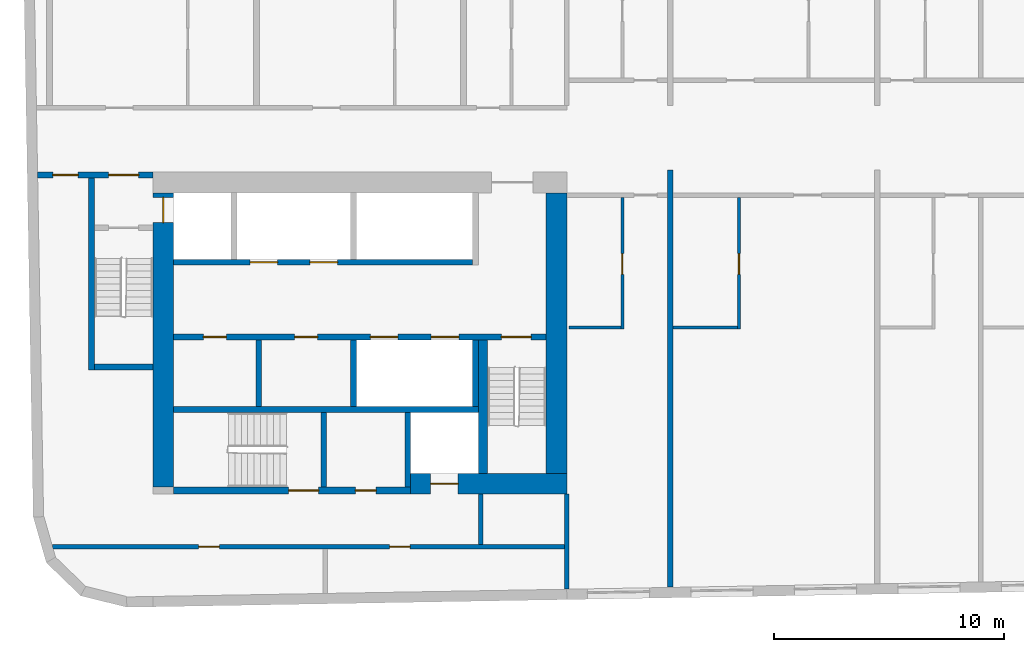
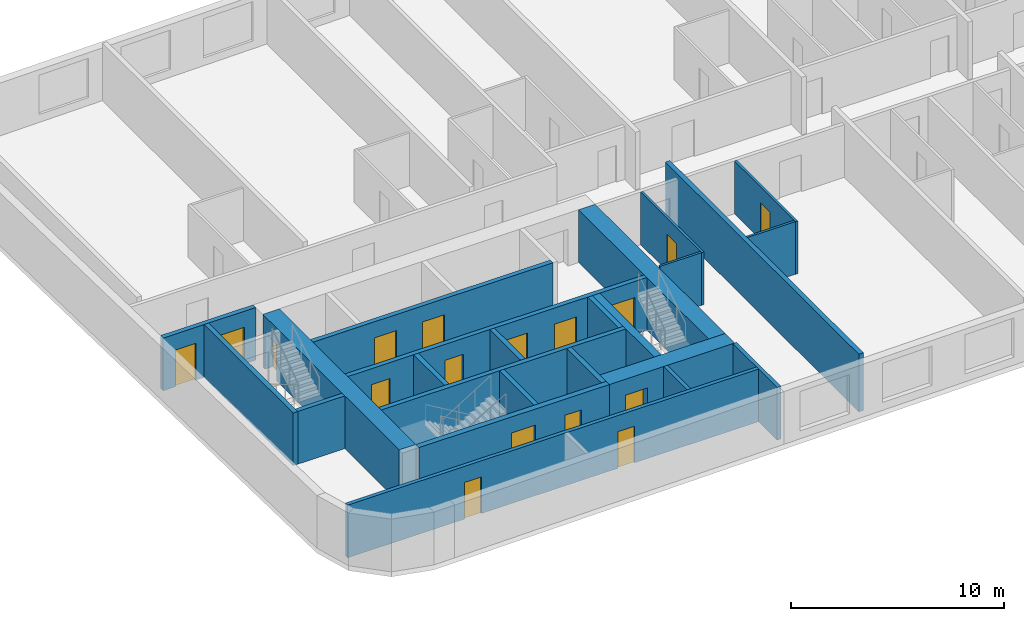
# One storey, part 2 of 12: 24 walls, 17 doors, 17 openings.
"""IFC4 building model written with IfcOpenShell, lengths in metres."""

from ifc_helpers import new_model, si_unit, direction, frame, frame_2d, origin, place, context, subcontext, project, spatial, rectangle, extrude, material, layer, layer_set, type_object, element, fill, save


model = new_model("IFC4")

# Units and contexts
model_context = context("Model", 3, precision=1e-05, world=origin(), true_north=direction((0.0, 1.0)))
body_context = subcontext(model_context, "Body", "Model", "MODEL_VIEW")
ifc_project = project(units=[si_unit("LENGTHUNIT", "METRE"), si_unit("AREAUNIT", "SQUARE_METRE"), si_unit("VOLUMEUNIT", "CUBIC_METRE"), si_unit("PLANEANGLEUNIT", "RADIAN"), si_unit("MASSUNIT", "GRAM", prefix="KILO")], contexts=[model_context])

# Site, building, storey
site_placement = place(None, origin())
site = spatial("IfcSite", under=ifc_project, at=site_placement, CompositionType="ELEMENT")
building_placement = place(site_placement, origin())
building = spatial("IfcBuilding", under=site, at=building_placement, Name="Kajstack Hotel Tower", CompositionType="ELEMENT")
storey_placement = place(building_placement, frame((0.0, 0.0, 234.199951171875)))
storey = spatial("IfcBuildingStorey", under=building, at=storey_placement, Name="L57", CompositionType="ELEMENT", Elevation=234.199951171875)

# Wall, opening, door
ifc_material_1 = material(Name="Concrete C60/75", Category="concrete")
ifc_layer_1 = layer(ifc_material_1, 0.89990234375)
ifc_layer_set_1 = layer_set([ifc_layer_1], Name="Core wall 900")
wall_type_1 = type_object("IfcWallType", Name="Core wall 900", PredefinedType="SHEAR", material=ifc_layer_set_1)
wall_1_placement = place(storey_placement, frame((-20.300048828125, -15.050048828125, 0.0), z_axis=(0.0, 0.0, 1.0), x_axis=(1.0, 0.0, 0.0)))
wall_1 = element("IfcWall", 1, at=wall_1_placement, inside=storey, type_object=wall_type_1, Name="Core wall W RS", PredefinedType="SHEAR", context=body_context, shape_type="SweptSolid", body=[
    extrude(rectangle(XDim=6.800048828125, YDim=0.89990234375, at=frame_2d((3.39990234375, 0.0))), origin(), (0.0, 0.0, 1.0), 3.02001953125),
])
opening_1_placement = place(wall_1_placement, frame((0.875, 0.0, 0.0)))
opening_1 = element("IfcOpeningElement", 2, at=opening_1_placement, cuts=wall_1, Name="Opening LD-SV1", PredefinedType="OPENING", context=body_context, shape_type="SweptSolid", body=[
    extrude(rectangle(XDim=1.199951171875, YDim=2.10009765625, at=frame_2d((0.60009765625, 1.050048828125))), frame((0.0, 0.4599609375, 0.0), z_axis=(0.0, -1.0, 0.0), x_axis=(1.0, 0.0, 0.0)), (0.0, 0.0, 1.0), 0.919921875),
])
ifc_material_2 = material(Name="Stainless steel", Category="steel")
door_type_1 = type_object("IfcDoorType", Name="Lift landing door 1200", OperationType="SLIDING_TO_LEFT", PredefinedType="DOOR", material=ifc_material_2)
door_1_placement = place(opening_1_placement, origin())
door_1 = element("IfcDoor", 3, at=door_1_placement, inside=storey, type_object=door_type_1, Name="Landing door SV1", OperationType="SLIDING_TO_LEFT", OverallHeight=2.10009765625, OverallWidth=1.199951171875, PredefinedType="DOOR", context=body_context, shape_type="SweptSolid", body=[
    extrude(rectangle(XDim=1.199951171875, YDim=2.10009765625, at=frame_2d((0.60009765625, 1.050048828125))), frame((0.0, 0.02490234375, 0.0), z_axis=(0.0, -1.0, 0.0), x_axis=(1.0, 0.0, 0.0)), (0.0, 0.0, 1.0), 0.050048828125),
])
fill(opening_1, door_1)

wall_2_placement = place(storey_placement, frame((-31.050048828125, -15.199951171875, 0.0), z_axis=(0.0, 0.0, 1.0), x_axis=(0.0, 1.0, 0.0)))
wall_2 = element("IfcWall", 4, at=wall_2_placement, inside=storey, type_object=wall_type_1, Name="Core wall W RW", PredefinedType="SHEAR", context=body_context, shape_type="SweptSolid", body=[
    extrude(rectangle(XDim=12.800048828125, YDim=0.89990234375, at=frame_2d((6.39990234375, 0.0))), origin(), (0.0, 0.0, 1.0), 3.02001953125),
])
opening_2_placement = place(wall_2_placement, frame((11.5, 0.0, 0.0)))
opening_2 = element("IfcOpeningElement", 5, at=opening_2_placement, cuts=wall_2, Name="Opening LD-FF1", PredefinedType="OPENING", context=body_context, shape_type="SweptSolid", body=[
    extrude(rectangle(XDim=1.10009765625, YDim=2.10009765625, at=frame_2d((0.550048828125, 1.050048828125))), frame((0.0, 0.4599609375, 0.0), z_axis=(0.0, -1.0, 0.0), x_axis=(1.0, 0.0, 0.0)), (0.0, 0.0, 1.0), 0.919921875),
])
door_type_2 = type_object("IfcDoorType", Name="Fire-fighting lift landing door 1100", OperationType="SLIDING_TO_LEFT", PredefinedType="DOOR", material=ifc_material_2)
door_2_placement = place(opening_2_placement, origin())
door_2 = element("IfcDoor", 6, at=door_2_placement, inside=storey, type_object=door_type_2, Name="Landing door FF1", OperationType="SLIDING_TO_RIGHT", OverallHeight=2.10009765625, OverallWidth=1.10009765625, PredefinedType="DOOR", context=body_context, shape_type="SweptSolid", body=[
    extrude(rectangle(XDim=1.10009765625, YDim=2.10009765625, at=frame_2d((0.550048828125, 1.050048828125))), frame((0.0, 0.02490234375, 0.0), z_axis=(0.0, -1.0, 0.0), x_axis=(1.0, 0.0, 0.0)), (0.0, 0.0, 1.0), 0.050048828125),
])
fill(opening_2, door_2)

# Walls
wall_3_placement = place(storey_placement, frame((-13.949951171875, -14.60009765625, 0.0), z_axis=(0.0, 0.0, 1.0), x_axis=(0.0, 1.0, 0.0)))
element("IfcWall", 7, at=wall_3_placement, inside=storey, type_object=wall_type_1, Name="Core wall W RE", PredefinedType="SHEAR", context=body_context, shape_type="SweptSolid", body=[
    extrude(rectangle(XDim=12.2001953125, YDim=0.89990234375, at=frame_2d((6.10009765625, 0.0))), origin(), (0.0, 0.0, 1.0), 3.02001953125),
])
ifc_material_3 = material(Name="Twin-frame gypsum board on steel studs, mineral wool", Category="steel")
ifc_layer_2 = layer(ifc_material_3, 0.199951171875)
ifc_layer_set_2 = layer_set([ifc_layer_2], Name="Demising wall 200")
wall_type_2 = type_object("IfcWallType", Name="Demising wall 200", PredefinedType="PARTITIONING", material=ifc_layer_set_2)
wall_4_placement = place(storey_placement, frame((-13.5, -19.64111328125, 0.0), z_axis=(0.0, 0.0, 1.0), x_axis=(0.0, 1.0, 0.0)))
element("IfcWall", 8, at=wall_4_placement, inside=storey, type_object=wall_type_2, Name="G-wall-L57-002", PredefinedType="PARTITIONING", context=body_context, shape_type="SweptSolid", body=[
    extrude(rectangle(XDim=4.14111328125, YDim=0.199951171875, at=frame_2d((2.070556640625, 0.0))), origin(), (0.0, 0.0, 1.0), 3.02001953125),
])

# Wall, opening, door
ifc_material_4 = material(Name="Gypsum board and tiled backer on steel studs", Category="steel")
ifc_layer_3 = layer(ifc_material_4, 0.125)
ifc_layer_set_3 = layer_set([ifc_layer_3], Name="En-suite wall 125")
wall_type_3 = type_object("IfcWallType", Name="En-suite wall 125", PredefinedType="PARTITIONING", material=ifc_layer_set_3)
wall_5_placement = place(storey_placement, frame((-11.087890625, -8.324951171875, 0.0), z_axis=(0.0, 0.0, 1.0), x_axis=(0.0, 1.0, 0.0)))
wall_5 = element("IfcWall", 9, at=wall_5_placement, inside=storey, type_object=wall_type_3, Name="G-wall-L57-027", PredefinedType="PARTITIONING", context=body_context, shape_type="SweptSolid", body=[
    extrude(rectangle(XDim=5.724853515625, YDim=0.125, at=frame_2d((2.8623046875, 0.0))), origin(), (0.0, 0.0, 1.0), 3.02001953125),
])
opening_3_placement = place(wall_5_placement, frame((2.375, 0.0, 0.0)))
opening_3 = element("IfcOpeningElement", 10, at=opening_3_placement, cuts=wall_5, Name="Opening 57020", PredefinedType="OPENING", context=body_context, shape_type="SweptSolid", body=[
    extrude(rectangle(XDim=0.89990234375, YDim=2.10009765625, at=frame_2d((0.449951171875, 1.050048828125))), frame((0.0, 0.072509765625, 0.0), z_axis=(0.0, -1.0, 0.0), x_axis=(1.0, 0.0, 0.0)), (0.0, 0.0, 1.0), 0.14501953125),
])
ifc_material_5 = material(Name="Painted timber door leaf", Category="wood")
door_type_3 = type_object("IfcDoorType", Name="Room door 900", OperationType="SINGLE_SWING_LEFT", PredefinedType="DOOR", material=ifc_material_5)
door_3_placement = place(opening_3_placement, origin())
door_3 = element("IfcDoor", 11, at=door_3_placement, inside=storey, type_object=door_type_3, Name="G-door-L57-20", OperationType="SINGLE_SWING_LEFT", OverallHeight=2.10009765625, OverallWidth=0.89990234375, PredefinedType="DOOR", context=body_context, shape_type="SweptSolid", body=[
    extrude(rectangle(XDim=0.89990234375, YDim=2.10009765625, at=frame_2d((0.449951171875, 1.050048828125))), frame((0.0, 0.02490234375, 0.0), z_axis=(0.0, -1.0, 0.0), x_axis=(1.0, 0.0, 0.0)), (0.0, 0.0, 1.0), 0.050048828125),
])
fill(opening_3, door_3)

# Wall
wall_6_placement = place(storey_placement, frame((-13.39990234375, -8.261962890625, 0.0), z_axis=(0.0, 0.0, 1.0), x_axis=(1.0, 0.0, 0.0)))
element("IfcWall", 12, at=wall_6_placement, inside=storey, type_object=wall_type_3, Name="G-wall-L57-028", PredefinedType="PARTITIONING", context=body_context, shape_type="SweptSolid", body=[
    extrude(rectangle(XDim=2.25, YDim=0.125, at=frame_2d((1.125, 0.0))), origin(), (0.0, 0.0, 1.0), 3.02001953125),
])

# Wall, opening, door
wall_7_placement = place(storey_placement, frame((-6.012939453125, -8.324951171875, 0.0), z_axis=(0.0, 0.0, 1.0), x_axis=(0.0, 1.0, 0.0)))
wall_7 = element("IfcWall", 13, at=wall_7_placement, inside=storey, type_object=wall_type_3, Name="G-wall-L57-029", PredefinedType="PARTITIONING", context=body_context, shape_type="SweptSolid", body=[
    extrude(rectangle(XDim=5.724853515625, YDim=0.125, at=frame_2d((2.8623046875, 0.0))), origin(), (0.0, 0.0, 1.0), 3.02001953125),
])
opening_4_placement = place(wall_7_placement, frame((2.375, 0.0, 0.0)))
opening_4 = element("IfcOpeningElement", 14, at=opening_4_placement, cuts=wall_7, Name="Opening 57022", PredefinedType="OPENING", context=body_context, shape_type="SweptSolid", body=[
    extrude(rectangle(XDim=0.89990234375, YDim=2.10009765625, at=frame_2d((0.449951171875, 1.050048828125))), frame((0.0, 0.072509765625, 0.0), z_axis=(0.0, -1.0, 0.0), x_axis=(1.0, 0.0, 0.0)), (0.0, 0.0, 1.0), 0.14501953125),
])
door_4_placement = place(opening_4_placement, origin())
door_4 = element("IfcDoor", 15, at=door_4_placement, inside=storey, type_object=door_type_3, Name="G-door-L57-22", OperationType="SINGLE_SWING_RIGHT", OverallHeight=2.10009765625, OverallWidth=0.89990234375, PredefinedType="DOOR", context=body_context, shape_type="SweptSolid", body=[
    extrude(rectangle(XDim=0.89990234375, YDim=2.10009765625, at=frame_2d((0.449951171875, 1.050048828125))), frame((0.0, 0.02490234375, 0.0), z_axis=(0.0, -1.0, 0.0), x_axis=(1.0, 0.0, 0.0)), (0.0, 0.0, 1.0), 0.050048828125),
])
fill(opening_4, door_4)

# Walls
wall_8_placement = place(storey_placement, frame((-8.875, -8.261962890625, 0.0), z_axis=(0.0, 0.0, 1.0), x_axis=(1.0, 0.0, 0.0)))
element("IfcWall", 16, at=wall_8_placement, inside=storey, type_object=wall_type_3, Name="G-wall-L57-030", PredefinedType="PARTITIONING", context=body_context, shape_type="SweptSolid", body=[
    extrude(rectangle(XDim=2.800048828125, YDim=0.125, at=frame_2d((1.39990234375, 0.0))), origin(), (0.0, 0.0, 1.0), 3.02001953125),
])
ifc_material_6 = material(Name="Concrete C50/60", Category="concrete")
ifc_layer_4 = layer(ifc_material_6, 0.300048828125)
ifc_layer_set_4 = layer_set([ifc_layer_4], Name="Hoistway divider wall 300")
wall_type_4 = type_object("IfcWallType", Name="Hoistway divider wall 300", PredefinedType="SHEAR", material=ifc_layer_set_4)
wall_9_placement = place(storey_placement, frame((-22.77490234375, -11.699951171875, 0.0), z_axis=(0.0, 0.0, 1.0), x_axis=(0.0, 1.0, 0.0)))
element("IfcWall", 17, at=wall_9_placement, inside=storey, type_object=wall_type_4, Name="Core wall W BP2", PredefinedType="SHEAR", context=body_context, shape_type="SweptSolid", body=[
    extrude(rectangle(XDim=2.89990234375, YDim=0.25, at=frame_2d((1.449951171875, 0.0))), origin(), (0.0, 0.0, 1.0), 3.02001953125),
])
ifc_material_7 = material(Name="Concrete C45/55", Category="concrete")
ifc_layer_5 = layer(ifc_material_7, 0.25)
ifc_layer_set_5 = layer_set([ifc_layer_5], Name="RC cross wall 250 C45/55")
wall_type_5 = type_object("IfcWallType", Name="RC cross wall 250 C45/55", PredefinedType="SHEAR", material=ifc_layer_set_5)
wall_10_placement = place(storey_placement, frame((-9.0, -19.55029296875, 0.0), z_axis=(0.0, 0.0, 1.0), x_axis=(0.0, 1.0, 0.0)))
element("IfcWall", 18, at=wall_10_placement, inside=storey, type_object=wall_type_5, Name="S-wall-L57-04", PredefinedType="SHEAR", context=body_context, shape_type="SweptSolid", body=[
    extrude(rectangle(XDim=18.150390625, YDim=0.25, at=frame_2d((9.0751953125, 0.0))), origin(), (0.0, 0.0, 1.0), 3.300048828125),
])
ifc_material_8 = material(Name="Concrete block masonry", Category="masonry")
ifc_layer_6 = layer(ifc_material_8, 0.25)
ifc_layer_set_6 = layer_set([ifc_layer_6], Name="Riser partition 250")
wall_type_6 = type_object("IfcWallType", Name="Riser partition 250", PredefinedType="PARTITIONING", material=ifc_layer_set_6)
wall_11_placement = place(storey_placement, frame((-26.89990234375, -11.699951171875, 0.0), z_axis=(0.0, 0.0, 1.0), x_axis=(0.0, 1.0, 0.0)))
element("IfcWall", 19, at=wall_11_placement, inside=storey, type_object=wall_type_6, Name="Partition W BF0", PredefinedType="PARTITIONING", context=body_context, shape_type="SweptSolid", body=[
    extrude(rectangle(XDim=2.89990234375, YDim=0.25, at=frame_2d((1.449951171875, 0.0))), origin(), (0.0, 0.0, 1.0), 3.02001953125),
])

# Wall, openings, doors
ifc_material_9 = material(Name="Gypsum board on steel studs, mineral wool", Category="steel")
ifc_layer_7 = layer(ifc_material_9, 0.199951171875)
ifc_layer_set_7 = layer_set([ifc_layer_7], Name="Service partition 200")
wall_type_7 = type_object("IfcWallType", Name="Service partition 200", PredefinedType="PARTITIONING", material=ifc_layer_set_7)
wall_12_placement = place(storey_placement, frame((-36.515380859375, -1.625, 0.0), z_axis=(0.0, 0.0, 1.0), x_axis=(1.0, 0.0, 0.0)))
wall_12 = element("IfcWall", 20, at=wall_12_placement, inside=storey, type_object=wall_type_7, Name="Partition W SN", PredefinedType="PARTITIONING", context=body_context, shape_type="SweptSolid", body=[
    extrude(rectangle(XDim=5.015380859375, YDim=0.25, at=frame_2d((2.5078125, 0.0))), origin(), (0.0, 0.0, 1.0), 3.02001953125),
])
opening_5_placement = place(wall_12_placement, frame((3.09033203125, 0.0, 0.0)))
opening_5 = element("IfcOpeningElement", 21, at=opening_5_placement, cuts=wall_12, Name="Opening 57W08", PredefinedType="OPENING", context=body_context, shape_type="SweptSolid", body=[
    extrude(rectangle(XDim=1.300048828125, YDim=2.10009765625, at=frame_2d((0.64990234375, 1.050048828125))), frame((0.0, 0.135009765625, 0.0), z_axis=(0.0, -1.0, 0.0), x_axis=(1.0, 0.0, 0.0)), (0.0, 0.0, 1.0), 0.27001953125),
])
opening_6_placement = place(wall_12_placement, frame((0.665283203125, 0.0, 0.0)))
opening_6 = element("IfcOpeningElement", 22, at=opening_6_placement, cuts=wall_12, Name="Opening 57W10", PredefinedType="OPENING", context=body_context, shape_type="SweptSolid", body=[
    extrude(rectangle(XDim=1.10009765625, YDim=2.10009765625, at=frame_2d((0.550048828125, 1.050048828125))), frame((0.0, 0.135009765625, 0.0), z_axis=(0.0, -1.0, 0.0), x_axis=(1.0, 0.0, 0.0)), (0.0, 0.0, 1.0), 0.27001953125),
])
ifc_material_10 = material(Name="Steel leaf, fire-rated", Category="steel")
door_type_4 = type_object("IfcDoorType", Name="Fire lobby door 1300", OperationType="SINGLE_SWING_LEFT", PredefinedType="DOOR", material=ifc_material_10)
door_5_placement = place(opening_5_placement, origin())
door_5 = element("IfcDoor", 23, at=door_5_placement, inside=storey, type_object=door_type_4, Name="Door 57W08", OperationType="SINGLE_SWING_RIGHT", OverallHeight=2.10009765625, OverallWidth=1.300048828125, PredefinedType="DOOR", context=body_context, shape_type="SweptSolid", body=[
    extrude(rectangle(XDim=1.300048828125, YDim=2.10009765625, at=frame_2d((0.64990234375, 1.050048828125))), frame((0.0, 0.02490234375, 0.0), z_axis=(0.0, -1.0, 0.0), x_axis=(1.0, 0.0, 0.0)), (0.0, 0.0, 1.0), 0.050048828125),
])
fill(opening_5, door_5)
ifc_material_11 = material(Name="Timber leaf, fire-rated", Category="wood")
door_type_5 = type_object("IfcDoorType", Name="Service corridor door 1100", OperationType="SINGLE_SWING_LEFT", PredefinedType="DOOR", material=ifc_material_11)
door_6_placement = place(opening_6_placement, origin())
door_6 = element("IfcDoor", 24, at=door_6_placement, inside=storey, type_object=door_type_5, Name="Door 57W10", OperationType="SINGLE_SWING_RIGHT", OverallHeight=2.10009765625, OverallWidth=1.10009765625, PredefinedType="DOOR", context=body_context, shape_type="SweptSolid", body=[
    extrude(rectangle(XDim=1.10009765625, YDim=2.10009765625, at=frame_2d((0.550048828125, 1.050048828125))), frame((0.0, 0.02490234375, 0.0), z_axis=(0.0, -1.0, 0.0), x_axis=(1.0, 0.0, 0.0)), (0.0, 0.0, 1.0), 0.050048828125),
])
fill(opening_6, door_6)

# Wall
wall_13_placement = place(storey_placement, frame((-17.25, -17.699951171875, 0.0), z_axis=(0.0, 0.0, 1.0), x_axis=(0.0, 1.0, 0.0)))
element("IfcWall", 25, at=wall_13_placement, inside=storey, type_object=wall_type_7, Name="Partition W SCE", PredefinedType="PARTITIONING", context=body_context, shape_type="SweptSolid", body=[
    extrude(rectangle(XDim=2.199951171875, YDim=0.199951171875, at=frame_2d((1.10009765625, 0.0))), origin(), (0.0, 0.0, 1.0), 3.02001953125),
])

# Wall, openings, doors
wall_14_placement = place(storey_placement, frame((-35.86376953125, -17.800048828125, 0.0), z_axis=(0.0, 0.0, 1.0), x_axis=(1.0, 0.0, 0.0)))
wall_14 = element("IfcWall", 26, at=wall_14_placement, inside=storey, type_object=wall_type_7, Name="Partition W SLN", PredefinedType="PARTITIONING", context=body_context, shape_type="SweptSolid", body=[
    extrude(rectangle(XDim=22.263671875, YDim=0.199951171875, at=frame_2d((11.1318359375, 0.0))), origin(), (0.0, 0.0, 1.0), 3.02001953125),
])
opening_7_placement = place(wall_14_placement, frame((6.351318359375, 0.0, 0.0)))
opening_7 = element("IfcOpeningElement", 27, at=opening_7_placement, cuts=wall_14, Name="Opening 57W16", PredefinedType="OPENING", context=body_context, shape_type="SweptSolid", body=[
    extrude(rectangle(XDim=0.89990234375, YDim=2.10009765625, at=frame_2d((0.449951171875, 1.050048828125))), frame((0.0, 0.10986328125, 0.0), z_axis=(0.0, -1.0, 0.0), x_axis=(1.0, 0.0, 0.0)), (0.0, 0.0, 1.0), 0.219970703125),
])
opening_8_placement = place(wall_14_placement, frame((14.651123046875, 0.0, 0.0)))
opening_8 = element("IfcOpeningElement", 28, at=opening_8_placement, cuts=wall_14, Name="Opening 57W17", PredefinedType="OPENING", context=body_context, shape_type="SweptSolid", body=[
    extrude(rectangle(XDim=0.89990234375, YDim=2.10009765625, at=frame_2d((0.449951171875, 1.050048828125))), frame((0.0, 0.10986328125, 0.0), z_axis=(0.0, -1.0, 0.0), x_axis=(1.0, 0.0, 0.0)), (0.0, 0.0, 1.0), 0.219970703125),
])
door_type_6 = type_object("IfcDoorType", Name="Service door 900", OperationType="SINGLE_SWING_LEFT", PredefinedType="DOOR", material=ifc_material_11)
door_7_placement = place(opening_7_placement, origin())
door_7 = element("IfcDoor", 29, at=door_7_placement, inside=storey, type_object=door_type_6, Name="Door 57W16", OperationType="SINGLE_SWING_RIGHT", OverallHeight=2.10009765625, OverallWidth=0.89990234375, PredefinedType="DOOR", context=body_context, shape_type="SweptSolid", body=[
    extrude(rectangle(XDim=0.89990234375, YDim=2.10009765625, at=frame_2d((0.449951171875, 1.050048828125))), frame((0.0, 0.02490234375, 0.0), z_axis=(0.0, -1.0, 0.0), x_axis=(1.0, 0.0, 0.0)), (0.0, 0.0, 1.0), 0.050048828125),
])
fill(opening_7, door_7)
door_8_placement = place(opening_8_placement, origin())
door_8 = element("IfcDoor", 30, at=door_8_placement, inside=storey, type_object=door_type_6, Name="Door 57W17", OperationType="SINGLE_SWING_RIGHT", OverallHeight=2.10009765625, OverallWidth=0.89990234375, PredefinedType="DOOR", context=body_context, shape_type="SweptSolid", body=[
    extrude(rectangle(XDim=0.89990234375, YDim=2.10009765625, at=frame_2d((0.449951171875, 1.050048828125))), frame((0.0, 0.02490234375, 0.0), z_axis=(0.0, -1.0, 0.0), x_axis=(1.0, 0.0, 0.0)), (0.0, 0.0, 1.0), 0.050048828125),
])
fill(opening_8, door_8)

ifc_layer_8 = layer(ifc_material_6, 0.25)
ifc_layer_set_8 = layer_set([ifc_layer_8], Name="Shaft wall 250")
wall_type_8 = type_object("IfcWallType", Name="Shaft wall 250", PredefinedType="SHEAR", material=ifc_layer_set_8)
wall_15_placement = place(storey_placement, frame((-30.60009765625, -15.35009765625, 0.0), z_axis=(0.0, 0.0, 1.0), x_axis=(1.0, 0.0, 0.0)))
wall_15 = element("IfcWall", 31, at=wall_15_placement, inside=storey, type_object=wall_type_8, Name="Core wall W RSS", PredefinedType="SHEAR", context=body_context, shape_type="SweptSolid", body=[
    extrude(rectangle(XDim=10.300048828125, YDim=0.300048828125, at=frame_2d((5.14990234375, 0.0))), origin(), (0.0, 0.0, 1.0), 3.02001953125),
])
opening_9_placement = place(wall_15_placement, frame((5.0, 0.0, 0.0)))
opening_9 = element("IfcOpeningElement", 32, at=opening_9_placement, cuts=wall_15, Name="Opening 57W12", PredefinedType="OPENING", context=body_context, shape_type="SweptSolid", body=[
    extrude(rectangle(XDim=1.300048828125, YDim=2.10009765625, at=frame_2d((0.64990234375, 1.050048828125))), frame((0.0, 0.159912109375, 0.0), z_axis=(0.0, -1.0, 0.0), x_axis=(1.0, 0.0, 0.0)), (0.0, 0.0, 1.0), 0.320068359375),
])
opening_10_placement = place(wall_15_placement, frame((7.89990234375, 0.0, 0.0)))
opening_10 = element("IfcOpeningElement", 33, at=opening_10_placement, cuts=wall_15, Name="Opening 57W13", PredefinedType="OPENING", context=body_context, shape_type="SweptSolid", body=[
    extrude(rectangle(XDim=0.89990234375, YDim=2.10009765625, at=frame_2d((0.449951171875, 1.050048828125))), frame((0.0, 0.159912109375, 0.0), z_axis=(0.0, -1.0, 0.0), x_axis=(1.0, 0.0, 0.0)), (0.0, 0.0, 1.0), 0.320068359375),
])
door_9_placement = place(opening_10_placement, origin())
door_9 = element("IfcDoor", 34, at=door_9_placement, inside=storey, type_object=door_type_6, Name="Door 57W13", OperationType="SINGLE_SWING_LEFT", OverallHeight=2.10009765625, OverallWidth=0.89990234375, PredefinedType="DOOR", context=body_context, shape_type="SweptSolid", body=[
    extrude(rectangle(XDim=0.89990234375, YDim=2.10009765625, at=frame_2d((0.449951171875, 1.050048828125))), frame((0.0, 0.02490234375, 0.0), z_axis=(0.0, -1.0, 0.0), x_axis=(1.0, 0.0, 0.0)), (0.0, 0.0, 1.0), 0.050048828125),
])
fill(opening_10, door_9)
door_type_7 = type_object("IfcDoorType", Name="Stair door 1300", OperationType="SINGLE_SWING_LEFT", PredefinedType="DOOR", material=ifc_material_10)
door_10_placement = place(opening_9_placement, origin())
door_10 = element("IfcDoor", 35, at=door_10_placement, inside=storey, type_object=door_type_7, Name="Door 57W12", OperationType="SINGLE_SWING_RIGHT", OverallHeight=2.10009765625, OverallWidth=1.300048828125, PredefinedType="DOOR", context=body_context, shape_type="SweptSolid", body=[
    extrude(rectangle(XDim=1.300048828125, YDim=2.10009765625, at=frame_2d((0.64990234375, 1.050048828125))), frame((0.0, 0.02490234375, 0.0), z_axis=(0.0, -1.0, 0.0), x_axis=(1.0, 0.0, 0.0)), (0.0, 0.0, 1.0), 0.050048828125),
])
fill(opening_9, door_10)

wall_16_placement = place(storey_placement, frame((-30.60009765625, -5.425048828125, 0.0), z_axis=(0.0, 0.0, 1.0), x_axis=(1.0, 0.0, 0.0)))
wall_16 = element("IfcWall", 36, at=wall_16_placement, inside=storey, type_object=wall_type_8, Name="Core wall W FA", PredefinedType="SHEAR", context=body_context, shape_type="SweptSolid", body=[
    extrude(rectangle(XDim=13.0, YDim=0.25, at=frame_2d((6.5, 0.0))), origin(), (0.0, 0.0, 1.0), 3.02001953125),
])
opening_11_placement = place(wall_16_placement, frame((3.324951171875, 0.0, 0.0)))
opening_11 = element("IfcOpeningElement", 37, at=opening_11_placement, cuts=wall_16, Name="Opening LD-MR3", PredefinedType="OPENING", context=body_context, shape_type="SweptSolid", body=[
    extrude(rectangle(XDim=1.199951171875, YDim=2.10009765625, at=frame_2d((0.60009765625, 1.050048828125))), frame((0.0, 0.135009765625, 0.0), z_axis=(0.0, -1.0, 0.0), x_axis=(1.0, 0.0, 0.0)), (0.0, 0.0, 1.0), 0.27001953125),
])
opening_12_placement = place(wall_16_placement, frame((5.925048828125, 0.0, 0.0)))
opening_12 = element("IfcOpeningElement", 38, at=opening_12_placement, cuts=wall_16, Name="Opening LD-MR4", PredefinedType="OPENING", context=body_context, shape_type="SweptSolid", body=[
    extrude(rectangle(XDim=1.199951171875, YDim=2.10009765625, at=frame_2d((0.60009765625, 1.050048828125))), frame((0.0, 0.135009765625, 0.0), z_axis=(0.0, -1.0, 0.0), x_axis=(1.0, 0.0, 0.0)), (0.0, 0.0, 1.0), 0.27001953125),
])
door_11_placement = place(opening_11_placement, origin())
door_11 = element("IfcDoor", 39, at=door_11_placement, inside=storey, type_object=door_type_1, Name="Landing door MR3", OperationType="SLIDING_TO_RIGHT", OverallHeight=2.10009765625, OverallWidth=1.199951171875, PredefinedType="DOOR", context=body_context, shape_type="SweptSolid", body=[
    extrude(rectangle(XDim=1.199951171875, YDim=2.10009765625, at=frame_2d((0.60009765625, 1.050048828125))), frame((0.0, 0.02490234375, 0.0), z_axis=(0.0, -1.0, 0.0), x_axis=(1.0, 0.0, 0.0)), (0.0, 0.0, 1.0), 0.050048828125),
])
fill(opening_11, door_11)
door_12_placement = place(opening_12_placement, origin())
door_12 = element("IfcDoor", 40, at=door_12_placement, inside=storey, type_object=door_type_1, Name="Landing door MR4", OperationType="SLIDING_TO_RIGHT", OverallHeight=2.10009765625, OverallWidth=1.199951171875, PredefinedType="DOOR", context=body_context, shape_type="SweptSolid", body=[
    extrude(rectangle(XDim=1.199951171875, YDim=2.10009765625, at=frame_2d((0.60009765625, 1.050048828125))), frame((0.0, 0.02490234375, 0.0), z_axis=(0.0, -1.0, 0.0), x_axis=(1.0, 0.0, 0.0)), (0.0, 0.0, 1.0), 0.050048828125),
])
fill(opening_12, door_12)

wall_17_placement = place(storey_placement, frame((-30.60009765625, -8.675048828125, 0.0), z_axis=(0.0, 0.0, 1.0), x_axis=(1.0, 0.0, 0.0)))
wall_17 = element("IfcWall", 41, at=wall_17_placement, inside=storey, type_object=wall_type_8, Name="Core wall W FB", PredefinedType="SHEAR", context=body_context, shape_type="SweptSolid", body=[
    extrude(rectangle(XDim=16.2001953125, YDim=0.25, at=frame_2d((8.10009765625, 0.0))), origin(), (0.0, 0.0, 1.0), 3.02001953125),
])
opening_13_placement = place(wall_17_placement, frame((8.550048828125, 0.0, 0.0)))
opening_13 = element("IfcOpeningElement", 42, at=opening_13_placement, cuts=wall_17, Name="Opening LD-MR1", PredefinedType="OPENING", context=body_context, shape_type="SweptSolid", body=[
    extrude(rectangle(XDim=1.199951171875, YDim=2.10009765625, at=frame_2d((0.60009765625, 1.050048828125))), frame((0.0, 0.135009765625, 0.0), z_axis=(0.0, -1.0, 0.0), x_axis=(1.0, 0.0, 0.0)), (0.0, 0.0, 1.0), 0.27001953125),
])
opening_14_placement = place(wall_17_placement, frame((11.199951171875, 0.0, 0.0)))
opening_14 = element("IfcOpeningElement", 43, at=opening_14_placement, cuts=wall_17, Name="Opening LD-MR2", PredefinedType="OPENING", context=body_context, shape_type="SweptSolid", body=[
    extrude(rectangle(XDim=1.199951171875, YDim=2.10009765625, at=frame_2d((0.60009765625, 1.050048828125))), frame((0.0, 0.135009765625, 0.0), z_axis=(0.0, -1.0, 0.0), x_axis=(1.0, 0.0, 0.0)), (0.0, 0.0, 1.0), 0.27001953125),
])
opening_15_placement = place(wall_17_placement, frame((14.25, 0.0, 0.0)))
opening_15 = element("IfcOpeningElement", 44, at=opening_15_placement, cuts=wall_17, Name="Opening 57W11", PredefinedType="OPENING", context=body_context, shape_type="SweptSolid", body=[
    extrude(rectangle(XDim=1.300048828125, YDim=2.10009765625, at=frame_2d((0.64990234375, 1.050048828125))), frame((0.0, 0.135009765625, 0.0), z_axis=(0.0, -1.0, 0.0), x_axis=(1.0, 0.0, 0.0)), (0.0, 0.0, 1.0), 0.27001953125),
])
opening_16_placement = place(wall_17_placement, frame((1.28759765625, 0.0, 0.0)))
opening_16 = element("IfcOpeningElement", 45, at=opening_16_placement, cuts=wall_17, Name="Opening 57W14", PredefinedType="OPENING", context=body_context, shape_type="SweptSolid", body=[
    extrude(rectangle(XDim=1.0, YDim=2.10009765625, at=frame_2d((0.5, 1.050048828125))), frame((0.0, 0.135009765625, 0.0), z_axis=(0.0, -1.0, 0.0), x_axis=(1.0, 0.0, 0.0)), (0.0, 0.0, 1.0), 0.27001953125),
])
opening_17_placement = place(wall_17_placement, frame((5.262451171875, 0.0, 0.0)))
opening_17 = element("IfcOpeningElement", 46, at=opening_17_placement, cuts=wall_17, Name="Opening 57W15", PredefinedType="OPENING", context=body_context, shape_type="SweptSolid", body=[
    extrude(rectangle(XDim=1.0, YDim=2.10009765625, at=frame_2d((0.5, 1.050048828125))), frame((0.0, 0.135009765625, 0.0), z_axis=(0.0, -1.0, 0.0), x_axis=(1.0, 0.0, 0.0)), (0.0, 0.0, 1.0), 0.27001953125),
])
door_13_placement = place(opening_13_placement, origin())
door_13 = element("IfcDoor", 47, at=door_13_placement, inside=storey, type_object=door_type_1, Name="Landing door MR1", OperationType="SLIDING_TO_LEFT", OverallHeight=2.10009765625, OverallWidth=1.199951171875, PredefinedType="DOOR", context=body_context, shape_type="SweptSolid", body=[
    extrude(rectangle(XDim=1.199951171875, YDim=2.10009765625, at=frame_2d((0.60009765625, 1.050048828125))), frame((0.0, 0.02490234375, 0.0), z_axis=(0.0, -1.0, 0.0), x_axis=(1.0, 0.0, 0.0)), (0.0, 0.0, 1.0), 0.050048828125),
])
fill(opening_13, door_13)
door_14_placement = place(opening_14_placement, origin())
door_14 = element("IfcDoor", 48, at=door_14_placement, inside=storey, type_object=door_type_1, Name="Landing door MR2", OperationType="SLIDING_TO_RIGHT", OverallHeight=2.10009765625, OverallWidth=1.199951171875, PredefinedType="DOOR", context=body_context, shape_type="SweptSolid", body=[
    extrude(rectangle(XDim=1.199951171875, YDim=2.10009765625, at=frame_2d((0.60009765625, 1.050048828125))), frame((0.0, 0.02490234375, 0.0), z_axis=(0.0, -1.0, 0.0), x_axis=(1.0, 0.0, 0.0)), (0.0, 0.0, 1.0), 0.050048828125),
])
fill(opening_14, door_14)
door_type_8 = type_object("IfcDoorType", Name="Service room door 1000", OperationType="SINGLE_SWING_LEFT", PredefinedType="DOOR", material=ifc_material_11)
door_15_placement = place(opening_16_placement, origin())
door_15 = element("IfcDoor", 49, at=door_15_placement, inside=storey, type_object=door_type_8, Name="Door 57W14", OperationType="SINGLE_SWING_RIGHT", OverallHeight=2.10009765625, OverallWidth=1.0, PredefinedType="DOOR", context=body_context, shape_type="SweptSolid", body=[
    extrude(rectangle(XDim=1.0, YDim=2.10009765625, at=frame_2d((0.5, 1.050048828125))), frame((0.0, 0.02490234375, 0.0), z_axis=(0.0, -1.0, 0.0), x_axis=(1.0, 0.0, 0.0)), (0.0, 0.0, 1.0), 0.050048828125),
])
fill(opening_16, door_15)
door_16_placement = place(opening_17_placement, origin())
door_16 = element("IfcDoor", 50, at=door_16_placement, inside=storey, type_object=door_type_8, Name="Door 57W15", OperationType="SINGLE_SWING_RIGHT", OverallHeight=2.10009765625, OverallWidth=1.0, PredefinedType="DOOR", context=body_context, shape_type="SweptSolid", body=[
    extrude(rectangle(XDim=1.0, YDim=2.10009765625, at=frame_2d((0.5, 1.050048828125))), frame((0.0, 0.02490234375, 0.0), z_axis=(0.0, -1.0, 0.0), x_axis=(1.0, 0.0, 0.0)), (0.0, 0.0, 1.0), 0.050048828125),
])
fill(opening_17, door_16)
door_17_placement = place(opening_15_placement, origin())
door_17 = element("IfcDoor", 51, at=door_17_placement, inside=storey, type_object=door_type_7, Name="Door 57W11", OperationType="SINGLE_SWING_RIGHT", OverallHeight=2.10009765625, OverallWidth=1.300048828125, PredefinedType="DOOR", context=body_context, shape_type="SweptSolid", body=[
    extrude(rectangle(XDim=1.300048828125, YDim=2.10009765625, at=frame_2d((0.64990234375, 1.050048828125))), frame((0.0, 0.02490234375, 0.0), z_axis=(0.0, -1.0, 0.0), x_axis=(1.0, 0.0, 0.0)), (0.0, 0.0, 1.0), 0.050048828125),
])
fill(opening_15, door_17)

# Walls
wall_18_placement = place(storey_placement, frame((-30.60009765625, -11.824951171875, 0.0), z_axis=(0.0, 0.0, 1.0), x_axis=(1.0, 0.0, 0.0)))
element("IfcWall", 52, at=wall_18_placement, inside=storey, type_object=wall_type_8, Name="Core wall W RB", PredefinedType="SHEAR", context=body_context, shape_type="SweptSolid", body=[
    extrude(rectangle(XDim=13.25, YDim=0.25, at=frame_2d((6.625, 0.0))), origin(), (0.0, 0.0, 1.0), 3.02001953125),
])
wall_19_placement = place(storey_placement, frame((-17.47509765625, -11.699951171875, 0.0), z_axis=(0.0, 0.0, 1.0), x_axis=(0.0, 1.0, 0.0)))
element("IfcWall", 53, at=wall_19_placement, inside=storey, type_object=wall_type_8, Name="Core wall W BE", PredefinedType="SHEAR", context=body_context, shape_type="SweptSolid", body=[
    extrude(rectangle(XDim=2.89990234375, YDim=0.25, at=frame_2d((1.449951171875, 0.0))), origin(), (0.0, 0.0, 1.0), 3.02001953125),
])
wall_20_placement = place(storey_placement, frame((-20.425048828125, -15.199951171875, 0.0), z_axis=(0.0, 0.0, 1.0), x_axis=(0.0, 1.0, 0.0)))
element("IfcWall", 54, at=wall_20_placement, inside=storey, type_object=wall_type_8, Name="Core wall W SVW", PredefinedType="SHEAR", context=body_context, shape_type="SweptSolid", body=[
    extrude(rectangle(XDim=3.25, YDim=0.25, at=frame_2d((1.625, 0.0))), origin(), (0.0, 0.0, 1.0), 3.02001953125),
])
ifc_material_12 = material(Name="Concrete C40/50", Category="concrete")
ifc_layer_9 = layer(ifc_material_12, 0.25)
ifc_layer_set_9 = layer_set([ifc_layer_9], Name="Stair enclosure wall 250")
wall_type_9 = type_object("IfcWallType", Name="Stair enclosure wall 250", PredefinedType="SHEAR", material=ifc_layer_set_9)
wall_21_placement = place(storey_placement, frame((-34.175048828125, -10.10009765625, 0.0), z_axis=(0.0, 0.0, 1.0), x_axis=(0.0, 1.0, 0.0)))
element("IfcWall", 55, at=wall_21_placement, inside=storey, type_object=wall_type_9, Name="Core wall W W1W", PredefinedType="SHEAR", context=body_context, shape_type="SweptSolid", body=[
    extrude(rectangle(XDim=8.35009765625, YDim=0.25, at=frame_2d((4.175048828125, 0.0))), origin(), (0.0, 0.0, 1.0), 3.02001953125),
])
wall_22_placement = place(storey_placement, frame((-34.050048828125, -9.97509765625, 0.0), z_axis=(0.0, 0.0, 1.0), x_axis=(1.0, 0.0, 0.0)))
element("IfcWall", 56, at=wall_22_placement, inside=storey, type_object=wall_type_9, Name="Core wall W W1S", PredefinedType="SHEAR", context=body_context, shape_type="SweptSolid", body=[
    extrude(rectangle(XDim=2.550048828125, YDim=0.25, at=frame_2d((1.27490234375, 0.0))), origin(), (0.0, 0.0, 1.0), 3.02001953125),
])
ifc_layer_10 = layer(ifc_material_6, 0.35009765625)
ifc_layer_set_10 = layer_set([ifc_layer_10], Name="Stair enclosure wall 350")
wall_type_10 = type_object("IfcWallType", Name="Stair enclosure wall 350", PredefinedType="SHEAR", material=ifc_layer_set_10)
wall_23_placement = place(storey_placement, frame((-24.074951171875, -15.199951171875, 0.0), z_axis=(0.0, 0.0, 1.0), x_axis=(0.0, 1.0, 0.0)))
element("IfcWall", 57, at=wall_23_placement, inside=storey, type_object=wall_type_10, Name="Core wall W W3E", PredefinedType="SHEAR", context=body_context, shape_type="SweptSolid", body=[
    extrude(rectangle(XDim=3.25, YDim=0.25, at=frame_2d((1.625, 0.0))), origin(), (0.0, 0.0, 1.0), 3.02001953125),
])
ifc_layer_11 = layer(ifc_material_6, 0.39990234375)
ifc_layer_set_11 = layer_set([ifc_layer_11], Name="Stair wall 400")
wall_type_11 = type_object("IfcWallType", Name="Stair wall 400", PredefinedType="SHEAR", material=ifc_layer_set_11)
wall_24_placement = place(storey_placement, frame((-17.14990234375, -14.60009765625, 0.0), z_axis=(0.0, 0.0, 1.0), x_axis=(0.0, 1.0, 0.0)))
element("IfcWall", 58, at=wall_24_placement, inside=storey, type_object=wall_type_11, Name="Core wall W WW2", PredefinedType="SHEAR", context=body_context, shape_type="SweptSolid", body=[
    extrude(rectangle(XDim=5.800048828125, YDim=0.39990234375, at=frame_2d((2.89990234375, 0.0))), origin(), (0.0, 0.0, 1.0), 3.02001953125),
])

save(model, "model.ifc")
